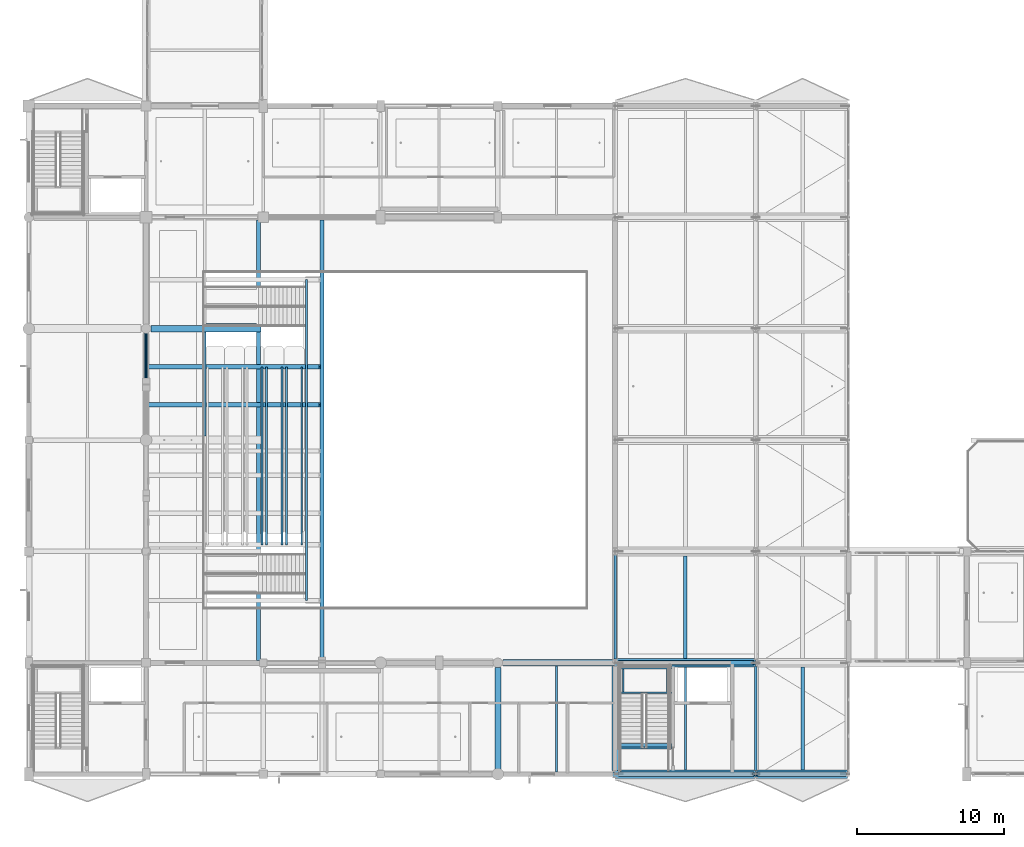
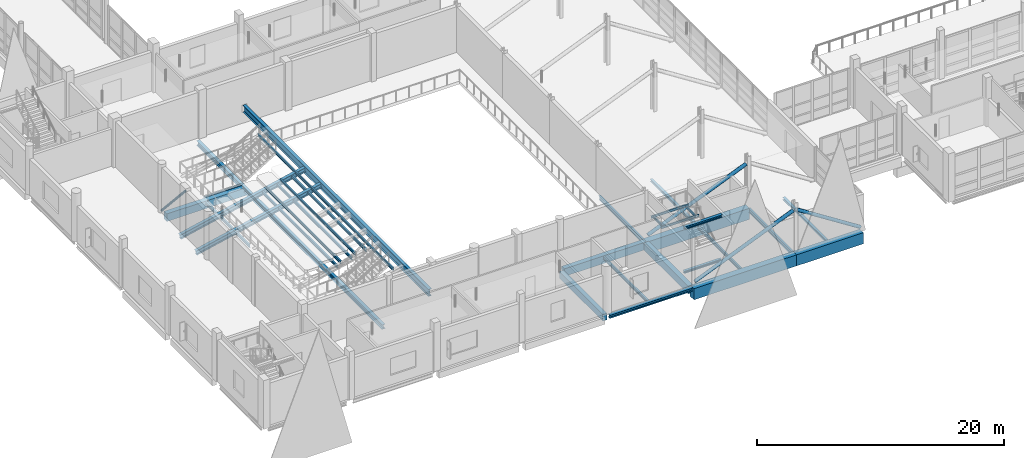
# One storey, part 12 of 147: 32 beams, 4 members.
"""IFC4 building model written with IfcOpenShell, lengths in metres."""

import ifcopenshell
import ifcopenshell.guid

model = None  # the IFC model being written
_history = None  # IfcOwnerHistory: only IFC2X3 demands one
_inside = {}  # id of a spatial element -> (the spatial element, [elements in it])
_under = {}  # id of a project, library or spatial element -> (it, [spatial elements below it])
_declared = {}  # id of a project -> (the project, [libraries it declares])
_typed = {}  # id of a type object -> (the type object, [elements of that type])
_made_of = {}  # id of a material, layer set ... -> (it, [elements and type objects made of it])


def new_model(schema):
    """Start an empty IFC model of exactly this schema.

    Asked for "IFC4X3", IfcOpenShell would pick the latest addendum, in which some entities
    have other attributes; the version numbers below select the first issue.
    IFC2X3 requires an IfcOwnerHistory on every rooted entity: one is made here for all.
    """
    global model, _history
    if schema == "IFC4X3":
        model = ifcopenshell.file(schema_version=(4, 3, 0, 0))
    else:
        model = ifcopenshell.file(schema=schema)
    _inside.clear()
    _under.clear()
    _declared.clear()
    _typed.clear()
    _made_of.clear()
    _history = None
    if model.schema == "IFC2X3":
        org = make("IfcOrganization", Name="unknown")
        user = make(
            "IfcPersonAndOrganization",
            ThePerson=make("IfcPerson", FamilyName="unknown"),
            TheOrganization=org,
        )
        app = make(
            "IfcApplication",
            ApplicationDeveloper=org,
            Version="unknown",
            ApplicationFullName="unknown",
            ApplicationIdentifier="unknown",
        )
        _history = make(
            "IfcOwnerHistory",
            OwningUser=user,
            OwningApplication=app,
            ChangeAction="ADDED",
            CreationDate=0,
        )
    return model


def make(cls, **values):
    """One entity of the class cls with the attributes given. An attribute that is None is left unset."""
    return model.create_entity(
        cls, **{name: value for name, value in values.items() if value is not None}
    )


def rooted(cls, **values):
    """An entity with a GlobalId (a new one), such as an element, a storey or a relation."""
    return make(cls, GlobalId=ifcopenshell.guid.new(), OwnerHistory=_history, **values)


def si_unit(unit_type, name, prefix=None):
    """IfcSIUnit, for example si_unit("LENGTHUNIT", "METRE", prefix="MILLI")."""
    return make("IfcSIUnit", UnitType=unit_type, Prefix=prefix, Name=name)


def assignment(units):
    """IfcUnitAssignment: the units of a project."""
    return None if units is None else make("IfcUnitAssignment", Units=units)


def point(xyz):
    """IfcCartesianPoint."""
    return None if xyz is None else make("IfcCartesianPoint", Coordinates=xyz)


def direction(xyz):
    """IfcDirection."""
    return None if xyz is None else make("IfcDirection", DirectionRatios=xyz)


def frame(location, z_axis=None, x_axis=None):
    """IfcAxis2Placement3D, a coordinate frame: its origin and axes. An axis left out is left unset."""
    return make(
        "IfcAxis2Placement3D",
        Location=point(location),
        Axis=direction(z_axis),
        RefDirection=direction(x_axis),
    )


def frame_2d(location, x_axis=None):
    """IfcAxis2Placement2D, a coordinate frame in the plane: its origin and x axis."""
    return make(
        "IfcAxis2Placement2D", Location=point(location), RefDirection=direction(x_axis)
    )


def origin():
    """The frame at (0, 0, 0) with its axes left unset."""
    return frame((0.0, 0.0, 0.0))


def origin_2d():
    """The frame at (0, 0) in the plane with its x axis left unset."""
    return frame_2d((0.0, 0.0))


def place(relative_to, where):
    """IfcLocalPlacement: puts the frame where relative to a parent placement (None: the world)."""
    return make(
        "IfcLocalPlacement", PlacementRelTo=relative_to, RelativePlacement=where
    )


def context(
    kind, dimensions, precision=None, world=None, true_north=None, identifier=None
):
    """IfcGeometricRepresentationContext, for example the 3D "Model" context."""
    return make(
        "IfcGeometricRepresentationContext",
        ContextIdentifier=identifier,
        ContextType=kind,
        CoordinateSpaceDimension=dimensions,
        Precision=precision,
        WorldCoordinateSystem=world,
        TrueNorth=true_north,
    )


def subcontext(parent, identifier, kind, view, scale=None):
    """IfcGeometricRepresentationSubContext, for example "Body" below "Model"."""
    return make(
        "IfcGeometricRepresentationSubContext",
        ContextIdentifier=identifier,
        ContextType=kind,
        ParentContext=parent,
        TargetScale=scale,
        TargetView=view,
    )


def project(units=None, contexts=None):
    """IfcProject with its units and contexts."""
    return rooted(
        "IfcProject",
        Name="project",
        RepresentationContexts=contexts,
        UnitsInContext=assignment(units),
    )


def spatial(cls, under=None, at=None, **own):
    """A site, building, storey or space (cls), placed at a placement, below another one or the project."""
    s = rooted(cls, ObjectPlacement=at, **own)
    if under is not None:
        _under.setdefault(under.id(), (under, []))[1].append(s)
    return s


def profile(cls, at=None, kind="AREA", **sizes):
    """A parametric profile (cls). Its sizes go by their IFC names, for example OverallWidth=200.0."""
    return make(cls, ProfileType=kind, Position=at, **sizes)


def rectangle(**sizes):
    """IfcRectangleProfileDef."""
    return profile("IfcRectangleProfileDef", **sizes)


def hollow_circle(**sizes):
    """IfcCircleHollowProfileDef."""
    return profile("IfcCircleHollowProfileDef", **sizes)


def i_section(**sizes):
    """IfcIShapeProfileDef."""
    return profile("IfcIShapeProfileDef", **sizes)


def extrude(swept, where, along, depth):
    """IfcExtrudedAreaSolid: the profile swept, set in the frame where, extruded along a direction by depth."""
    return make(
        "IfcExtrudedAreaSolid",
        SweptArea=swept,
        Position=where,
        ExtrudedDirection=direction(along),
        Depth=depth,
    )


def shape(context_of_items, identifier, shape_type, items):
    """IfcShapeRepresentation: the items that make up one representation, for example the "Body"."""
    return make(
        "IfcShapeRepresentation",
        ContextOfItems=context_of_items,
        RepresentationIdentifier=identifier,
        RepresentationType=shape_type,
        Items=items,
    )


def material(Name=None, Category=None):
    """IfcMaterial."""
    return make("IfcMaterial", Name=Name, Category=Category)


def material_profile(
    of_material, cross_section, Name=None, Category=None, Priority=None
):
    """IfcMaterialProfile: a cross section and its material."""
    return make(
        "IfcMaterialProfile",
        Name=Name,
        Material=of_material,
        Profile=cross_section,
        Priority=Priority,
        Category=Category,
    )


def profile_set(profiles, Name=None, composite=None):
    """IfcMaterialProfileSet."""
    return make(
        "IfcMaterialProfileSet",
        Name=Name,
        MaterialProfiles=profiles,
        CompositeProfile=composite,
    )


def made_of(thing, what):
    """Note that an element or type object is made of a material, layer set ...; save() writes the relation."""
    if what is not None:
        _made_of.setdefault(what.id(), (what, []))[1].append(thing)
    return thing


def type_object(cls, material=None, **own):
    """A type object (cls), such as IfcWallType, which elements share."""
    return made_of(rooted(cls, **own), material)


def element(
    cls,
    number,
    at=None,
    inside=None,
    cuts=None,
    type_object=None,
    material=None,
    context=None,
    identifier="Body",
    shape_type=None,
    held_by="IfcProductDefinitionShape",
    body=None,
    shapes=None,
    **own,
):
    """One element of the class cls, such as IfcWall. Its Tag is "e" and its number.

    at: its placement. inside: the storey or other place that contains it. cuts: it is an
    opening in that element (IfcRelVoidsElement). A single representation is given by context,
    identifier, shape_type and body (its items); several are given by shapes. held_by: the class
    of the entity that holds the representations. save() writes the other relations.
    """
    e = rooted(cls, Tag="e%d" % number, ObjectPlacement=at, **own)
    if body is not None:
        shapes = [shape(context, identifier, shape_type, body)]
    if shapes is not None:
        e.Representation = make(held_by, Representations=shapes)
    if inside is not None:
        _inside.setdefault(inside.id(), (inside, []))[1].append(e)
    if cuts is not None:
        rooted(
            "IfcRelVoidsElement", RelatingBuildingElement=cuts, RelatedOpeningElement=e
        )
    if type_object is not None:
        _typed.setdefault(type_object.id(), (type_object, []))[1].append(e)
    return made_of(e, material)


def aggregate(whole, parts):
    """IfcRelAggregates: a whole, such as a stair, and the parts it consists of."""
    return rooted("IfcRelAggregates", RelatingObject=whole, RelatedObjects=parts)


def save(model, path):
    """Write the relations noted so far, then the file.

    IfcRelAggregates (storeys below a building ...), IfcRelContainedInSpatialStructure (elements
    in a storey), IfcRelDefinesByType, IfcRelAssociatesMaterial and IfcRelDeclares: one each for
    every whole, place, type object, material and project.
    """
    for whole, parts in _under.values():
        aggregate(whole, parts)
    for where, things in _inside.values():
        rooted(
            "IfcRelContainedInSpatialStructure",
            RelatedElements=things,
            RelatingStructure=where,
        )
    for kind, things in _typed.values():
        rooted("IfcRelDefinesByType", RelatedObjects=things, RelatingType=kind)
    for what, things in _made_of.values():
        rooted("IfcRelAssociatesMaterial", RelatedObjects=things, RelatingMaterial=what)
    for by, libraries in _declared.values():
        rooted("IfcRelDeclares", RelatingContext=by, RelatedDefinitions=libraries)
    model.write(path)


model = new_model("IFC4")

# Units and contexts
model_context = context("Model", 3, precision=1e-05, world=origin(), true_north=direction((0.0, 1.0)))
body_context = subcontext(model_context, "Body", "Model", "MODEL_VIEW")
ifc_project = project(units=[si_unit("LENGTHUNIT", "METRE"), si_unit("AREAUNIT", "SQUARE_METRE"), si_unit("VOLUMEUNIT", "CUBIC_METRE"), si_unit("PLANEANGLEUNIT", "RADIAN"), si_unit("MASSUNIT", "GRAM", prefix="KILO")], contexts=[model_context])

# Site, building, storey
site_placement = place(None, origin())
site = spatial("IfcSite", under=ifc_project, at=site_placement, CompositionType="ELEMENT")
building_placement = place(site_placement, origin())
building = spatial("IfcBuilding", under=site, at=building_placement, Name="Khelvaren Railside Concert Hall", CompositionType="ELEMENT")
storey_placement = place(building_placement, frame((0.0, 0.0, 5.39990234375)))
storey = spatial("IfcBuildingStorey", under=building, at=storey_placement, Name="L01", CompositionType="ELEMENT", Elevation=5.39990234375)

# Beams
ifc_material_1 = material(Name="Steel S355", Category="steel")
ifc_material_profile_1 = material_profile(ifc_material_1, i_section(OverallWidth=0.179931640625, OverallDepth=0.39990234375, WebThickness=0.008544921875, FlangeThickness=0.013427734375, FilletRadius=0.02099609375, at=origin_2d()), Name="IPE 400")
ifc_profile_set_1 = profile_set([ifc_material_profile_1], Name="Steel S355")
beam_type_1 = type_object("IfcBeamType", Name="BM29", PredefinedType="BEAM", material=ifc_profile_set_1)
beam_1_placement = place(storey_placement, frame((40.0, 7.85009765625, -0.5), z_axis=(0.0, 1.0, 0.0), x_axis=(-1.0, 0.0, 0.0)))
element("IfcBeam", 1, at=beam_1_placement, inside=storey, type_object=beam_type_1, Name="V1 L01 Beam Y6.2", PredefinedType="BEAM", context=body_context, shape_type="SweptSolid", body=[
    extrude(i_section(OverallWidth=0.179931640625, OverallDepth=0.39990234375, WebThickness=0.008544921875, FlangeThickness=0.013427734375, FilletRadius=0.02099609375, at=origin_2d()), origin(), (0.0, 0.0, 1.0), 7.099853515625),
])
beam_2_placement = place(storey_placement, frame((49.60009765625, 0.25, -0.5), z_axis=(0.0, 1.0, 0.0), x_axis=(-1.0, 0.0, 0.0)))
element("IfcBeam", 2, at=beam_2_placement, inside=storey, type_object=beam_type_1, Name="V1 L01 Beam Y7.1", PredefinedType="BEAM", context=body_context, shape_type="SweptSolid", body=[
    extrude(i_section(OverallWidth=0.179931640625, OverallDepth=0.39990234375, WebThickness=0.008544921875, FlangeThickness=0.013427734375, FilletRadius=0.02099609375, at=origin_2d()), origin(), (0.0, 0.0, 1.0), 7.10009765625),
])
ifc_material_profile_2 = material_profile(ifc_material_1, i_section(OverallWidth=0.1201171875, OverallDepth=0.239990234375, WebThickness=0.006103515625, FlangeThickness=0.009765625, FilletRadius=0.014892578125, at=origin_2d()), Name="IPE 240")
ifc_profile_set_2 = profile_set([ifc_material_profile_2], Name="Steel S355")
beam_type_2 = type_object("IfcBeamType", Name="BM30", PredefinedType="BEAM", material=ifc_profile_set_2)
beam_3_placement = place(storey_placement, frame((12.070068359375, 30.699951171875, -0.31982421875), z_axis=(1.0, 0.0, 0.0), x_axis=(0.0, 1.0, 0.0)))
element("IfcBeam", 3, at=beam_3_placement, inside=storey, type_object=beam_type_2, Name="Vomitory Landing Stringer ST-19-S", PredefinedType="BEAM", context=body_context, shape_type="SweptSolid", body=[
    extrude(i_section(OverallWidth=0.1201171875, OverallDepth=0.239990234375, WebThickness=0.006103515625, FlangeThickness=0.009765625, FilletRadius=0.014892578125, at=origin_2d()), origin(), (0.0, 0.0, 1.0), 3.449951171875),
])
ifc_material_2 = material(Name="Concrete C40/50", Category="concrete")
ifc_material_profile_3 = material_profile(ifc_material_2, rectangle(XDim=0.39990234375, YDim=0.64990234375, at=origin_2d()), Name="RCB 400x650")
ifc_profile_set_3 = profile_set([ifc_material_profile_3], Name="Concrete C40/50")
beam_type_3 = type_object("IfcBeamType", Name="BM33", PredefinedType="BEAM", material=ifc_profile_set_3)
beam_4_placement = place(storey_placement, frame((32.0, 0.25, -0.625), z_axis=(0.0, 1.0, 0.0), x_axis=(-1.0, 0.0, 0.0)))
element("IfcBeam", 4, at=beam_4_placement, inside=storey, type_object=beam_type_3, Name="V1 L01 Beam Y5.1", PredefinedType="BEAM", context=body_context, shape_type="SweptSolid", body=[
    extrude(rectangle(XDim=0.39990234375, YDim=0.64990234375, at=origin_2d()), origin(), (0.0, 0.0, 1.0), 7.013916015625),
])
ifc_material_profile_4 = material_profile(ifc_material_1, i_section(OverallWidth=0.239990234375, OverallDepth=0.22998046875, WebThickness=0.007568359375, FlangeThickness=0.011962890625, FilletRadius=0.02099609375, at=origin_2d()), Name="HEA 240")
ifc_profile_set_4 = profile_set([ifc_material_profile_4], Name="Steel S355")
beam_type_4 = type_object("IfcBeamType", Name="BM42", PredefinedType="BEAM", material=ifc_profile_set_4)
beam_5_placement = place(storey_placement, frame((40.344970703125, 1.960693359375, -0.114990234375), z_axis=(1.0, 0.0, 0.0), x_axis=(0.0, 1.0, 0.0)))
element("IfcBeam", 5, at=beam_5_placement, inside=storey, type_object=beam_type_4, Name="ST-02 L01 Stair Foot Trimmer Beam", PredefinedType="BEAM", context=body_context, shape_type="SweptSolid", body=[
    extrude(i_section(OverallWidth=0.239990234375, OverallDepth=0.22998046875, WebThickness=0.007568359375, FlangeThickness=0.011962890625, FilletRadius=0.02099609375, at=origin_2d()), origin(), (0.0, 0.0, 1.0), 3.4951171875),
])
ifc_material_profile_5 = material_profile(ifc_material_2, rectangle(XDim=0.449951171875, YDim=0.75, at=origin_2d()), Name="RCB 450x750")
ifc_profile_set_5 = profile_set([ifc_material_profile_5], Name="Concrete C40/50")
beam_type_5 = type_object("IfcBeamType", Name="BM83", PredefinedType="BEAM", material=ifc_profile_set_5)
beam_6_placement = place(storey_placement, frame((32.3359375, 7.60009765625, -0.6748046875), z_axis=(1.0, 0.0, 0.0), x_axis=(0.0, 1.0, 0.0)))
element("IfcBeam", 6, at=beam_6_placement, inside=storey, type_object=beam_type_5, Name="V1 L01 Beam X2.5", PredefinedType="BEAM", context=body_context, shape_type="SweptSolid", body=[
    extrude(rectangle(XDim=0.449951171875, YDim=0.75, at=origin_2d()), origin(), (0.0, 0.0, 1.0), 7.654052734375),
])
beam_7_placement = place(storey_placement, frame((8.3359375, 30.39990234375, -0.6748046875), z_axis=(1.0, 0.0, 0.0), x_axis=(0.0, 1.0, 0.0)))
element("IfcBeam", 7, at=beam_7_placement, inside=storey, type_object=beam_type_5, Name="V1 L01 Beam X5.2", PredefinedType="BEAM", context=body_context, shape_type="SweptSolid", body=[
    extrude(rectangle(XDim=0.449951171875, YDim=0.75, at=origin_2d()), origin(), (0.0, 0.0, 1.0), 7.51416015625),
])
beam_8_placement = place(storey_placement, frame((40.0, 0.25, -0.6748046875), z_axis=(0.0, 1.0, 0.0), x_axis=(-1.0, 0.0, 0.0)))
element("IfcBeam", 8, at=beam_8_placement, inside=storey, type_object=beam_type_5, Name="V1 L01 Beam Y6.1", PredefinedType="BEAM", context=body_context, shape_type="SweptSolid", body=[
    extrude(rectangle(XDim=0.449951171875, YDim=0.75, at=origin_2d()), origin(), (0.0, 0.0, 1.0), 7.10009765625),
])
ifc_material_profile_6 = material_profile(ifc_material_1, i_section(OverallWidth=0.110107421875, OverallDepth=0.219970703125, WebThickness=0.005859375, FlangeThickness=0.00927734375, FilletRadius=0.011962890625, at=origin_2d()), Name="IPE 220")
ifc_profile_set_6 = profile_set([ifc_material_profile_6], Name="Steel S355")
beam_type_6 = type_object("IfcBeamType", Name="BM87", PredefinedType="BEAM", material=ifc_profile_set_6)
for number, where, z_axis, x_axis, name in (
    (9, (40.344970703125, 5.544921875, 2.090087890625), (1.0, 0.0, 0.0), (0.0, 1.0, 0.0), "ST-02 L01 Half-Landing Front Beam"),
    (10, (40.344970703125, 7.239990234375, 2.090087890625), (1.0, 0.0, 0.0), (0.0, 1.0, 0.0), "ST-02 L01 Half-Landing Rear Beam"),
):
    element("IfcBeam", number, at=place(storey_placement, frame(where, z_axis=z_axis, x_axis=x_axis)), inside=storey, type_object=beam_type_6, Name=name, PredefinedType="BEAM", context=body_context, shape_type="SweptSolid", body=[
        extrude(i_section(OverallWidth=0.110107421875, OverallDepth=0.219970703125, WebThickness=0.005859375, FlangeThickness=0.00927734375, FilletRadius=0.011962890625, at=origin_2d()), origin(), (0.0, 0.0, 1.0), 3.4951171875),
    ])
for number, where, z_axis, x_axis, name in (
    (11, (40.550048828125, 5.60009765625, 2.090087890625), (0.0, 1.0, 0.0), (-1.0, 0.0, 0.0), "ST-02 L01 Half-Landing Side Tie W"),
    (12, (43.550048828125, 5.60009765625, 2.090087890625), (0.0, 1.0, 0.0), (-1.0, 0.0, 0.0), "ST-02 L01 Half-Landing Side Tie E"),
):
    element("IfcBeam", number, at=place(storey_placement, frame(where, z_axis=z_axis, x_axis=x_axis)), inside=storey, type_object=beam_type_6, Name=name, PredefinedType="BEAM", context=body_context, shape_type="SweptSolid", body=[
        extrude(i_section(OverallWidth=0.110107421875, OverallDepth=0.219970703125, WebThickness=0.005859375, FlangeThickness=0.00927734375, FilletRadius=0.011962890625, at=origin_2d()), origin(), (0.0, 0.0, 1.0), 1.5849609375),
    ])
ifc_material_profile_7 = material_profile(ifc_material_1, i_section(OverallWidth=0.280029296875, OverallDepth=0.27001953125, WebThickness=0.008056640625, FlangeThickness=0.012939453125, FilletRadius=0.02392578125, at=origin_2d()), Name="HEA 280")
ifc_profile_set_7 = profile_set([ifc_material_profile_7], Name="Steel S355")
beam_type_7 = type_object("IfcBeamType", Name="BM93", PredefinedType="BEAM", material=ifc_profile_set_7)
beam_9_placement = place(storey_placement, frame((40.344970703125, 1.860107421875, 4.31787109375), z_axis=(1.0, 0.0, 0.0), x_axis=(0.0, 1.0, 0.0)))
element("IfcBeam", 13, at=beam_9_placement, inside=storey, type_object=beam_type_7, Name="ST-02 L01 Stair Top Arrival Trimmer Beam", PredefinedType="BEAM", context=body_context, shape_type="SweptSolid", body=[
    extrude(i_section(OverallWidth=0.280029296875, OverallDepth=0.27001953125, WebThickness=0.008056640625, FlangeThickness=0.012939453125, FilletRadius=0.02392578125, at=origin_2d()), origin(), (0.0, 0.0, 1.0), 3.4951171875),
])

# Members
ifc_material_profile_8 = material_profile(ifc_material_1, hollow_circle(Radius=0.109619140625, WallThickness=0.012451171875, at=origin_2d()), Name="CHS 219.1x12.5")
ifc_profile_set_8 = profile_set([ifc_material_profile_8], Name="Steel S355")
member_type_1 = type_object("IfcMemberType", Name="BR37", PredefinedType="BRACE", material=ifc_profile_set_8)
member_1_placement = place(storey_placement, frame((8.0, 30.39990234375, 0.050048828125), z_axis=(0.0, -0.670020073671, 0.742342980621), x_axis=(1.0, 0.0, 0.0)))
element("IfcMember", 14, at=member_1_placement, inside=storey, type_object=member_type_1, Name="V1 L01 Seismic Chevron Brace 14", PredefinedType="BRACE", context=body_context, shape_type="SweptSolid", body=[
    extrude(hollow_circle(Radius=0.109619140625, WallThickness=0.012451171875, at=origin_2d()), origin(), (0.0, 0.0, 1.0), 5.671142578125),
])
ifc_material_profile_9 = material_profile(ifc_material_1, hollow_circle(Radius=0.161865234375, WallThickness=0.01611328125, at=origin_2d()), Name="CHS 323.9x16")
ifc_profile_set_9 = profile_set([ifc_material_profile_9], Name="Steel S355")
member_type_2 = type_object("IfcMemberType", Name="BR78", PredefinedType="BRACE", material=ifc_profile_set_9)
member_2_placement = place(storey_placement, frame((49.75, 0.0, 3.960205078125), z_axis=(0.842137077221, 0.0, -0.539263519228), x_axis=(0.0, 1.0, 0.0)))
element("IfcMember", 15, at=member_2_placement, inside=storey, type_object=member_type_2, Name="V1 L01 Plaza Cantilever Truss Diagonal 1A", PredefinedType="BRACE", context=body_context, shape_type="SweptSolid", body=[
    extrude(hollow_circle(Radius=0.161865234375, WallThickness=0.01611328125, at=origin_2d()), origin(), (0.0, 0.0, 1.0), 7.065185546875),
])
for number, where, z_axis, x_axis, name in (
    (16, (40.25, 0.0, 0.150146484375), (0.923903885845, 0.0, 0.382624632925), (0.0, 1.0, 0.0), "V1 L01 Plaza Cantilever Truss Backspan Diagonal 1B"),
    (17, (40.25, 7.60009765625, 0.150146484375), (0.923903885845, 0.0, 0.382624632925), (0.0, 1.0, 0.0), "V1 L01 Plaza Cantilever Truss Backspan Diagonal 2B"),
):
    element("IfcMember", number, at=place(storey_placement, frame(where, z_axis=z_axis, x_axis=x_axis)), inside=storey, type_object=member_type_2, Name=name, PredefinedType="BRACE", context=body_context, shape_type="SweptSolid", body=[
        extrude(hollow_circle(Radius=0.161865234375, WallThickness=0.01611328125, at=origin_2d()), origin(), (0.0, 0.0, 1.0), 9.957763671875),
    ])

# Beams
ifc_material_profile_10 = material_profile(ifc_material_2, rectangle(XDim=0.60009765625, YDim=1.10009765625, at=origin_2d()), Name="RCB 600x1100")
ifc_profile_set_10 = profile_set([ifc_material_profile_10], Name="Concrete C40/50")
beam_type_8 = type_object("IfcBeamType", Name="GR15", PredefinedType="T_BEAM", material=ifc_profile_set_10)
beam_10_placement = place(storey_placement, frame((40.010009765625, 0.0, -0.849853515625), z_axis=(1.0, 0.0, 0.0), x_axis=(0.0, 1.0, 0.0)))
element("IfcBeam", 18, at=beam_10_placement, inside=storey, type_object=beam_type_8, Name="V1 L01 Cantilever Backspan Girder 1", PredefinedType="T_BEAM", context=body_context, shape_type="SweptSolid", body=[
    extrude(rectangle(XDim=0.60009765625, YDim=1.10009765625, at=origin_2d()), origin(), (0.0, 0.0, 1.0), 9.580078125),
])
beam_11_placement = place(storey_placement, frame((49.610107421875, 0.0, -0.849853515625), z_axis=(1.0, 0.0, 0.0), x_axis=(0.0, 1.0, 0.0)))
element("IfcBeam", 19, at=beam_11_placement, inside=storey, type_object=beam_type_8, Name="V1 L01 Arrival Cantilever Girder 1", PredefinedType="T_BEAM", context=body_context, shape_type="SweptSolid", body=[
    extrude(rectangle(XDim=0.60009765625, YDim=1.10009765625, at=origin_2d()), origin(), (0.0, 0.0, 1.0), 6.239990234375),
])
beam_12_placement = place(storey_placement, frame((40.010009765625, 7.60009765625, -0.849853515625), z_axis=(1.0, 0.0, 0.0), x_axis=(0.0, 1.0, 0.0)))
element("IfcBeam", 20, at=beam_12_placement, inside=storey, type_object=beam_type_8, Name="V1 L01 Cantilever Backspan Girder 2", PredefinedType="T_BEAM", context=body_context, shape_type="SweptSolid", body=[
    extrude(rectangle(XDim=0.60009765625, YDim=1.10009765625, at=origin_2d()), origin(), (0.0, 0.0, 1.0), 9.580078125),
])
ifc_material_profile_11 = material_profile(ifc_material_1, i_section(OverallWidth=0.300048828125, OverallDepth=0.449951171875, WebThickness=0.013916015625, FlangeThickness=0.02587890625, FilletRadius=0.027099609375, at=origin_2d()), Name="HEB 450")
ifc_profile_set_11 = profile_set([ifc_material_profile_11], Name="Steel S355")
beam_type_9 = type_object("IfcBeamType", Name="GR52", PredefinedType="T_BEAM", material=ifc_profile_set_11)
beam_13_placement = place(storey_placement, frame((15.669921875, 7.77490234375, -0.4248046875), z_axis=(0.0, 1.0, 0.0), x_axis=(-1.0, 0.0, 0.0)))
element("IfcBeam", 21, at=beam_13_placement, inside=storey, type_object=beam_type_9, Name="V1-L01 Vomitory Gallery Header Girder", PredefinedType="T_BEAM", context=body_context, shape_type="SweptSolid", body=[
    extrude(i_section(OverallWidth=0.300048828125, OverallDepth=0.449951171875, WebThickness=0.013916015625, FlangeThickness=0.02587890625, FilletRadius=0.027099609375, at=origin_2d()), origin(), (0.0, 0.0, 1.0), 30.050048828125),
])
ifc_material_profile_12 = material_profile(ifc_material_1, i_section(OverallWidth=0.300048828125, OverallDepth=0.699951171875, WebThickness=0.01708984375, FlangeThickness=0.031982421875, FilletRadius=0.027099609375, at=origin_2d()), Name="HEB 700")
ifc_profile_set_12 = profile_set([ifc_material_profile_12], Name="Steel S355")
beam_type_10 = type_object("IfcBeamType", Name="GR85", PredefinedType="T_BEAM", material=ifc_profile_set_12)
beam_14_placement = place(storey_placement, frame((20.0, 7.77001953125, 1.440185546875), z_axis=(0.0, 1.0, 0.0), x_axis=(-1.0, 0.0, 0.0)))
element("IfcBeam", 22, at=beam_14_placement, inside=storey, type_object=beam_type_10, Name="V1-L01 Balcony Raker Support Girder", PredefinedType="T_BEAM", context=body_context, shape_type="SweptSolid", body=[
    extrude(i_section(OverallWidth=0.300048828125, OverallDepth=0.699951171875, WebThickness=0.01708984375, FlangeThickness=0.031982421875, FilletRadius=0.027099609375, at=origin_2d()), origin(), (0.0, 0.0, 1.0), 30.06005859375),
])
ifc_material_profile_13 = material_profile(ifc_material_1, i_section(OverallWidth=0.14990234375, OverallDepth=0.300048828125, WebThickness=0.007080078125, FlangeThickness=0.0107421875, FilletRadius=0.014892578125, at=origin_2d()), Name="IPE 300")
ifc_profile_set_13 = profile_set([ifc_material_profile_13], Name="Steel S355")
beam_type_11 = type_object("IfcBeamType", Name="JS26", PredefinedType="JOIST", material=ifc_profile_set_13)
beam_15_placement = place(storey_placement, frame((12.0, 23.074951171875, -0.449951171875), z_axis=(0.0, 1.0, 0.0), x_axis=(-1.0, 0.0, 0.0)))
element("IfcBeam", 23, at=beam_15_placement, inside=storey, type_object=beam_type_11, Name="V1 L01 Secondary Joist 2.4", PredefinedType="JOIST", context=body_context, shape_type="SweptSolid", body=[
    extrude(i_section(OverallWidth=0.14990234375, OverallDepth=0.300048828125, WebThickness=0.007080078125, FlangeThickness=0.0107421875, FilletRadius=0.014892578125, at=origin_2d()), origin(), (0.0, 0.0, 1.0), 7.10009765625),
])
beam_16_placement = place(storey_placement, frame((36.0, 0.14990234375, -0.449951171875), z_axis=(0.0, 1.0, 0.0), x_axis=(-1.0, 0.0, 0.0)))
element("IfcBeam", 24, at=beam_16_placement, inside=storey, type_object=beam_type_11, Name="V1 L01 Secondary Joist 5.1", PredefinedType="JOIST", context=body_context, shape_type="SweptSolid", body=[
    extrude(i_section(OverallWidth=0.14990234375, OverallDepth=0.300048828125, WebThickness=0.007080078125, FlangeThickness=0.0107421875, FilletRadius=0.014892578125, at=origin_2d()), origin(), (0.0, 0.0, 1.0), 7.22509765625),
])
ifc_material_profile_14 = material_profile(ifc_material_1, i_section(OverallWidth=0.159912109375, OverallDepth=0.330078125, WebThickness=0.007568359375, FlangeThickness=0.011474609375, FilletRadius=0.01806640625, at=origin_2d()), Name="IPE 330")
ifc_profile_set_14 = profile_set([ifc_material_profile_14], Name="Steel S355")
beam_type_12 = type_object("IfcBeamType", Name="JS65", PredefinedType="JOIST", material=ifc_profile_set_14)
beam_17_placement = place(storey_placement, frame((44.800048828125, 0.300048828125, -0.46484375), z_axis=(0.0, 1.0, 0.0), x_axis=(-1.0, 0.0, 0.0)))
element("IfcBeam", 25, at=beam_17_placement, inside=storey, type_object=beam_type_12, Name="V1 L01 Secondary Joist 6.1", PredefinedType="JOIST", context=body_context, shape_type="SweptSolid", body=[
    extrude(i_section(OverallWidth=0.159912109375, OverallDepth=0.330078125, WebThickness=0.007568359375, FlangeThickness=0.011474609375, FilletRadius=0.01806640625, at=origin_2d()), origin(), (0.0, 0.0, 1.0), 7.0),
])
ifc_material_profile_15 = material_profile(ifc_material_1, i_section(OverallWidth=0.239990234375, OverallDepth=0.22998046875, WebThickness=0.007568359375, FlangeThickness=0.011962890625, FilletRadius=0.02099609375, at=origin_2d()), Name="HEA 240")
ifc_profile_set_15 = profile_set([ifc_material_profile_15], Name="Steel S355")
beam_type_13 = type_object("IfcBeamType", Name="JS76", PredefinedType="JOIST", material=ifc_profile_set_15)
for number, where, z_axis, x_axis, name in (
    (26, (44.800048828125, 7.89990234375, -0.414794921875), (0.0, 1.0, 0.0), (-1.0, 0.0, 0.0), "V1 L01 Secondary Joist 6.2"),
    (27, (52.800048828125, 0.300048828125, -0.414794921875), (0.0, 1.0, 0.0), (-1.0, 0.0, 0.0), "V1 L01 Secondary Joist 7.1"),
):
    element("IfcBeam", number, at=place(storey_placement, frame(where, z_axis=z_axis, x_axis=x_axis)), inside=storey, type_object=beam_type_13, Name=name, PredefinedType="JOIST", context=body_context, shape_type="SweptSolid", body=[
        extrude(i_section(OverallWidth=0.239990234375, OverallDepth=0.22998046875, WebThickness=0.007568359375, FlangeThickness=0.011962890625, FilletRadius=0.02099609375, at=origin_2d()), origin(), (0.0, 0.0, 1.0), 7.0),
    ])
ifc_material_profile_16 = material_profile(ifc_material_1, i_section(OverallWidth=0.135009765625, OverallDepth=0.27001953125, WebThickness=0.006591796875, FlangeThickness=0.01025390625, FilletRadius=0.014892578125, at=origin_2d()), Name="IPE 270")
ifc_profile_set_16 = profile_set([ifc_material_profile_16], Name="Steel S355")
beam_type_14 = type_object("IfcBeamType", Name="JS78", PredefinedType="JOIST", material=ifc_profile_set_16)
for number, where, z_axis, x_axis, name in (
    (28, (15.919921875, 15.64990234375, 0.635009765625), (0.0, 1.0, 0.0), (-1.0, 0.0, 0.0), "V1-L01 Seating Tier Step Joist 3F"),
    (29, (16.22998046875, 15.64990234375, 0.97509765625), (0.0, 1.0, 0.0), (-1.0, 0.0, 0.0), "V1-L01 Seating Tier Step Joist 4B"),
    (30, (17.27001953125, 15.64990234375, 0.97509765625), (0.0, 1.0, 0.0), (-1.0, 0.0, 0.0), "V1-L01 Seating Tier Step Joist 4F"),
    (31, (17.580078125, 15.64990234375, 1.315185546875), (0.0, 1.0, 0.0), (-1.0, 0.0, 0.0), "V1-L01 Seating Tier Step Joist 5B"),
    (32, (18.6201171875, 15.64990234375, 1.315185546875), (0.0, 1.0, 0.0), (-1.0, 0.0, 0.0), "V1-L01 Seating Tier Step Joist 5F"),
):
    element("IfcBeam", number, at=place(storey_placement, frame(where, z_axis=z_axis, x_axis=x_axis)), inside=storey, type_object=beam_type_14, Name=name, PredefinedType="JOIST", context=body_context, shape_type="SweptSolid", body=[
        extrude(i_section(OverallWidth=0.135009765625, OverallDepth=0.27001953125, WebThickness=0.006591796875, FlangeThickness=0.01025390625, FilletRadius=0.014892578125, at=origin_2d()), origin(), (0.0, 0.0, 1.0), 12.150146484375),
    ])
beam_18_placement = place(storey_placement, frame((18.929931640625, 11.85009765625, 1.655029296875), z_axis=(0.0, 1.0, 0.0), x_axis=(-1.0, 0.0, 0.0)))
element("IfcBeam", 33, at=beam_18_placement, inside=storey, type_object=beam_type_14, Name="V1-L01 Seating Tier Step Joist 6B", PredefinedType="JOIST", context=body_context, shape_type="SweptSolid", body=[
    extrude(i_section(OverallWidth=0.135009765625, OverallDepth=0.27001953125, WebThickness=0.006591796875, FlangeThickness=0.01025390625, FilletRadius=0.014892578125, at=origin_2d()), origin(), (0.0, 0.0, 1.0), 21.89990234375),
])
ifc_material_profile_17 = material_profile(ifc_material_1, i_section(OverallWidth=0.300048828125, OverallDepth=0.449951171875, WebThickness=0.013916015625, FlangeThickness=0.02587890625, FilletRadius=0.027099609375, at=origin_2d()), Name="HEB 450")
ifc_profile_set_17 = profile_set([ifc_material_profile_17], Name="Steel S355")
beam_type_15 = type_object("IfcBeamType", Name="RK43", PredefinedType="USERDEFINED", material=ifc_profile_set_17)
beam_19_placement = place(storey_placement, frame((8.169921875, 27.800048828125, -1.013916015625), z_axis=(0.976568332246, 0.0, 0.215207556684), x_axis=(0.0, 1.0, 0.0)))
element("IfcBeam", 34, at=beam_19_placement, inside=storey, type_object=beam_type_15, Name="V1-L01 Balcony Raker Beam 7", ObjectType="RAKER", PredefinedType="USERDEFINED", context=body_context, shape_type="SweptSolid", body=[
    extrude(i_section(OverallWidth=0.300048828125, OverallDepth=0.449951171875, WebThickness=0.013916015625, FlangeThickness=0.02587890625, FilletRadius=0.027099609375, at=origin_2d()), origin(), (0.0, 0.0, 1.0), 11.96044921875),
])
ifc_material_profile_18 = material_profile(ifc_material_1, i_section(OverallWidth=0.300048828125, OverallDepth=0.43994140625, WebThickness=0.011474609375, FlangeThickness=0.02099609375, FilletRadius=0.027099609375, at=origin_2d()), Name="HEA 450")
ifc_profile_set_18 = profile_set([ifc_material_profile_18], Name="Steel S355")
beam_type_16 = type_object("IfcBeamType", Name="RK59", PredefinedType="USERDEFINED", material=ifc_profile_set_18)
beam_20_placement = place(storey_placement, frame((8.169921875, 25.199951171875, -1.013916015625), z_axis=(0.976568332246, 0.0, 0.215207556684), x_axis=(0.0, 1.0, 0.0)))
element("IfcBeam", 35, at=beam_20_placement, inside=storey, type_object=beam_type_16, Name="V1-L01 Balcony Raker Beam 6", ObjectType="RAKER", PredefinedType="USERDEFINED", context=body_context, shape_type="SweptSolid", body=[
    extrude(i_section(OverallWidth=0.300048828125, OverallDepth=0.43994140625, WebThickness=0.011474609375, FlangeThickness=0.02099609375, FilletRadius=0.027099609375, at=origin_2d()), origin(), (0.0, 0.0, 1.0), 11.96044921875),
])
ifc_material_profile_19 = material_profile(ifc_material_1, i_section(OverallWidth=0.300048828125, OverallDepth=0.31005859375, WebThickness=0.009033203125, FlangeThickness=0.015380859375, FilletRadius=0.027099609375, at=origin_2d()), Name="HEA 320")
ifc_profile_set_19 = profile_set([ifc_material_profile_19], Name="Steel S355")
beam_type_17 = type_object("IfcBeamType", Name="SP66", PredefinedType="SPANDREL", material=ifc_profile_set_19)
beam_21_placement = place(storey_placement, frame((32.25, 0.0, -0.454833984375), z_axis=(1.0, 0.0, 0.0), x_axis=(0.0, 1.0, 0.0)))
element("IfcBeam", 36, at=beam_21_placement, inside=storey, type_object=beam_type_17, Name="V1 L01 Spandrel X1.5", PredefinedType="SPANDREL", context=body_context, shape_type="SweptSolid", body=[
    extrude(i_section(OverallWidth=0.300048828125, OverallDepth=0.31005859375, WebThickness=0.009033203125, FlangeThickness=0.015380859375, FilletRadius=0.027099609375, at=origin_2d()), origin(), (0.0, 0.0, 1.0), 7.739990234375),
])

save(model, "model.ifc")
